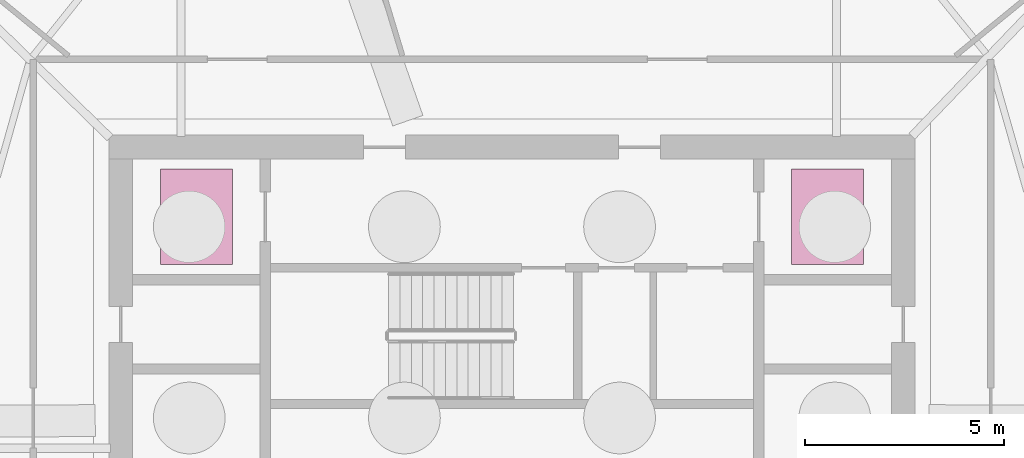
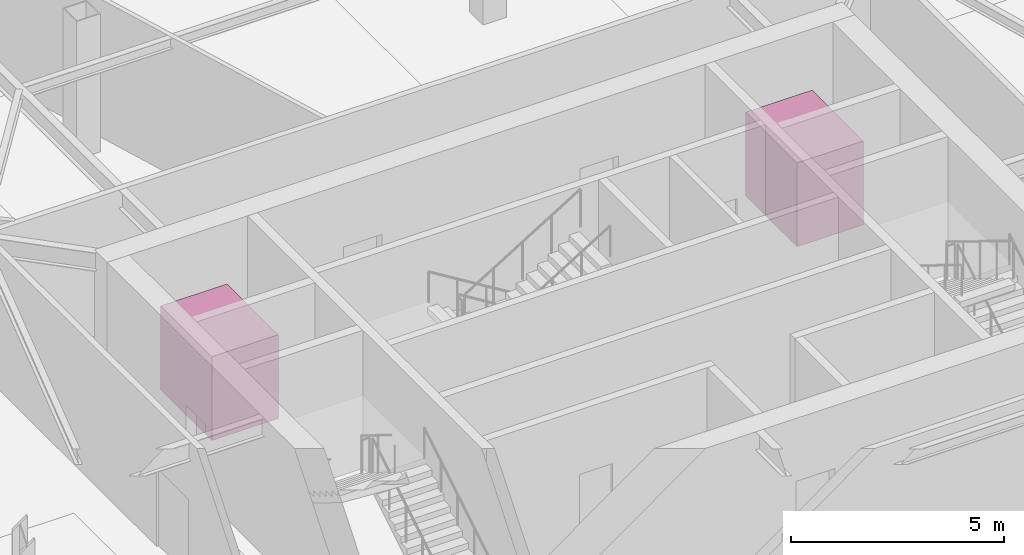
# One storey, part 11 of 11: 2 transport elements.
"""IFC4 building model written with IfcOpenShell, lengths in metres."""

import ifcopenshell
import ifcopenshell.guid

model = None  # the IFC model being written
_history = None  # IfcOwnerHistory: only IFC2X3 demands one
_inside = {}  # id of a spatial element -> (the spatial element, [elements in it])
_under = {}  # id of a project, library or spatial element -> (it, [spatial elements below it])
_declared = {}  # id of a project -> (the project, [libraries it declares])
_typed = {}  # id of a type object -> (the type object, [elements of that type])
_made_of = {}  # id of a material, layer set ... -> (it, [elements and type objects made of it])


def new_model(schema):
    """Start an empty IFC model of exactly this schema.

    Asked for "IFC4X3", IfcOpenShell would pick the latest addendum, in which some entities
    have other attributes; the version numbers below select the first issue.
    IFC2X3 requires an IfcOwnerHistory on every rooted entity: one is made here for all.
    """
    global model, _history
    if schema == "IFC4X3":
        model = ifcopenshell.file(schema_version=(4, 3, 0, 0))
    else:
        model = ifcopenshell.file(schema=schema)
    _inside.clear()
    _under.clear()
    _declared.clear()
    _typed.clear()
    _made_of.clear()
    _history = None
    if model.schema == "IFC2X3":
        org = make("IfcOrganization", Name="unknown")
        user = make(
            "IfcPersonAndOrganization",
            ThePerson=make("IfcPerson", FamilyName="unknown"),
            TheOrganization=org,
        )
        app = make(
            "IfcApplication",
            ApplicationDeveloper=org,
            Version="unknown",
            ApplicationFullName="unknown",
            ApplicationIdentifier="unknown",
        )
        _history = make(
            "IfcOwnerHistory",
            OwningUser=user,
            OwningApplication=app,
            ChangeAction="ADDED",
            CreationDate=0,
        )
    return model


def make(cls, **values):
    """One entity of the class cls with the attributes given. An attribute that is None is left unset."""
    return model.create_entity(
        cls, **{name: value for name, value in values.items() if value is not None}
    )


def rooted(cls, **values):
    """An entity with a GlobalId (a new one), such as an element, a storey or a relation."""
    return make(cls, GlobalId=ifcopenshell.guid.new(), OwnerHistory=_history, **values)


def si_unit(unit_type, name, prefix=None):
    """IfcSIUnit, for example si_unit("LENGTHUNIT", "METRE", prefix="MILLI")."""
    return make("IfcSIUnit", UnitType=unit_type, Prefix=prefix, Name=name)


def assignment(units):
    """IfcUnitAssignment: the units of a project."""
    return None if units is None else make("IfcUnitAssignment", Units=units)


def point(xyz):
    """IfcCartesianPoint."""
    return None if xyz is None else make("IfcCartesianPoint", Coordinates=xyz)


def direction(xyz):
    """IfcDirection."""
    return None if xyz is None else make("IfcDirection", DirectionRatios=xyz)


def frame(location, z_axis=None, x_axis=None):
    """IfcAxis2Placement3D, a coordinate frame: its origin and axes. An axis left out is left unset."""
    return make(
        "IfcAxis2Placement3D",
        Location=point(location),
        Axis=direction(z_axis),
        RefDirection=direction(x_axis),
    )


def frame_2d(location, x_axis=None):
    """IfcAxis2Placement2D, a coordinate frame in the plane: its origin and x axis."""
    return make(
        "IfcAxis2Placement2D", Location=point(location), RefDirection=direction(x_axis)
    )


def origin():
    """The frame at (0, 0, 0) with its axes left unset."""
    return frame((0.0, 0.0, 0.0))


def origin_2d():
    """The frame at (0, 0) in the plane with its x axis left unset."""
    return frame_2d((0.0, 0.0))


def place(relative_to, where):
    """IfcLocalPlacement: puts the frame where relative to a parent placement (None: the world)."""
    return make(
        "IfcLocalPlacement", PlacementRelTo=relative_to, RelativePlacement=where
    )


def context(
    kind, dimensions, precision=None, world=None, true_north=None, identifier=None
):
    """IfcGeometricRepresentationContext, for example the 3D "Model" context."""
    return make(
        "IfcGeometricRepresentationContext",
        ContextIdentifier=identifier,
        ContextType=kind,
        CoordinateSpaceDimension=dimensions,
        Precision=precision,
        WorldCoordinateSystem=world,
        TrueNorth=true_north,
    )


def subcontext(parent, identifier, kind, view, scale=None):
    """IfcGeometricRepresentationSubContext, for example "Body" below "Model"."""
    return make(
        "IfcGeometricRepresentationSubContext",
        ContextIdentifier=identifier,
        ContextType=kind,
        ParentContext=parent,
        TargetScale=scale,
        TargetView=view,
    )


def project(units=None, contexts=None):
    """IfcProject with its units and contexts."""
    return rooted(
        "IfcProject",
        Name="project",
        RepresentationContexts=contexts,
        UnitsInContext=assignment(units),
    )


def spatial(cls, under=None, at=None, **own):
    """A site, building, storey or space (cls), placed at a placement, below another one or the project."""
    s = rooted(cls, ObjectPlacement=at, **own)
    if under is not None:
        _under.setdefault(under.id(), (under, []))[1].append(s)
    return s


def profile(cls, at=None, kind="AREA", **sizes):
    """A parametric profile (cls). Its sizes go by their IFC names, for example OverallWidth=200.0."""
    return make(cls, ProfileType=kind, Position=at, **sizes)


def rectangle(**sizes):
    """IfcRectangleProfileDef."""
    return profile("IfcRectangleProfileDef", **sizes)


def extrude(swept, where, along, depth):
    """IfcExtrudedAreaSolid: the profile swept, set in the frame where, extruded along a direction by depth."""
    return make(
        "IfcExtrudedAreaSolid",
        SweptArea=swept,
        Position=where,
        ExtrudedDirection=direction(along),
        Depth=depth,
    )


def shape(context_of_items, identifier, shape_type, items):
    """IfcShapeRepresentation: the items that make up one representation, for example the "Body"."""
    return make(
        "IfcShapeRepresentation",
        ContextOfItems=context_of_items,
        RepresentationIdentifier=identifier,
        RepresentationType=shape_type,
        Items=items,
    )


def material(Name=None, Category=None):
    """IfcMaterial."""
    return make("IfcMaterial", Name=Name, Category=Category)


def made_of(thing, what):
    """Note that an element or type object is made of a material, layer set ...; save() writes the relation."""
    if what is not None:
        _made_of.setdefault(what.id(), (what, []))[1].append(thing)
    return thing


def type_object(cls, material=None, **own):
    """A type object (cls), such as IfcWallType, which elements share."""
    return made_of(rooted(cls, **own), material)


def element(
    cls,
    number,
    at=None,
    inside=None,
    cuts=None,
    type_object=None,
    material=None,
    context=None,
    identifier="Body",
    shape_type=None,
    held_by="IfcProductDefinitionShape",
    body=None,
    shapes=None,
    **own,
):
    """One element of the class cls, such as IfcWall. Its Tag is "e" and its number.

    at: its placement. inside: the storey or other place that contains it. cuts: it is an
    opening in that element (IfcRelVoidsElement). A single representation is given by context,
    identifier, shape_type and body (its items); several are given by shapes. held_by: the class
    of the entity that holds the representations. save() writes the other relations.
    """
    e = rooted(cls, Tag="e%d" % number, ObjectPlacement=at, **own)
    if body is not None:
        shapes = [shape(context, identifier, shape_type, body)]
    if shapes is not None:
        e.Representation = make(held_by, Representations=shapes)
    if inside is not None:
        _inside.setdefault(inside.id(), (inside, []))[1].append(e)
    if cuts is not None:
        rooted(
            "IfcRelVoidsElement", RelatingBuildingElement=cuts, RelatedOpeningElement=e
        )
    if type_object is not None:
        _typed.setdefault(type_object.id(), (type_object, []))[1].append(e)
    return made_of(e, material)


def aggregate(whole, parts):
    """IfcRelAggregates: a whole, such as a stair, and the parts it consists of."""
    return rooted("IfcRelAggregates", RelatingObject=whole, RelatedObjects=parts)


def save(model, path):
    """Write the relations noted so far, then the file.

    IfcRelAggregates (storeys below a building ...), IfcRelContainedInSpatialStructure (elements
    in a storey), IfcRelDefinesByType, IfcRelAssociatesMaterial and IfcRelDeclares: one each for
    every whole, place, type object, material and project.
    """
    for whole, parts in _under.values():
        aggregate(whole, parts)
    for where, things in _inside.values():
        rooted(
            "IfcRelContainedInSpatialStructure",
            RelatedElements=things,
            RelatingStructure=where,
        )
    for kind, things in _typed.values():
        rooted("IfcRelDefinesByType", RelatedObjects=things, RelatingType=kind)
    for what, things in _made_of.values():
        rooted("IfcRelAssociatesMaterial", RelatedObjects=things, RelatingMaterial=what)
    for by, libraries in _declared.values():
        rooted("IfcRelDeclares", RelatingContext=by, RelatedDefinitions=libraries)
    model.write(path)


model = new_model("IFC4")

# Units and contexts
model_context = context("Model", 3, precision=1e-05, world=origin(), true_north=direction((0.0, 1.0)))
body_context = subcontext(model_context, "Body", "Model", "MODEL_VIEW")
ifc_project = project(units=[si_unit("LENGTHUNIT", "METRE"), si_unit("AREAUNIT", "SQUARE_METRE"), si_unit("VOLUMEUNIT", "CUBIC_METRE"), si_unit("PLANEANGLEUNIT", "RADIAN"), si_unit("MASSUNIT", "GRAM", prefix="KILO")], contexts=[model_context])

# Site, building, storey
site_placement = place(None, origin())
site = spatial("IfcSite", under=ifc_project, at=site_placement, CompositionType="ELEMENT")
building_placement = place(site_placement, origin())
building = spatial("IfcBuilding", under=site, at=building_placement, Name="Kavelnor Concourse Tower", CompositionType="ELEMENT")
storey_placement = place(building_placement, frame((0.0, 0.0, -8.39990234375)))
storey = spatial("IfcBuildingStorey", under=building, at=storey_placement, Name="B02", CompositionType="ELEMENT", Elevation=-8.39990234375)

# Transport elements
ifc_material = material(Name="Steel Grade 350", Category="steel")
transport_element_type = type_object("IfcTransportElementType", Name="LFT-FIRE-1800x2400", PredefinedType="ELEVATOR", material=ifc_material)
for number, where, z_axis, x_axis, name in (
    (1, (30.080078125, 21.14990234375, 0.0), (0.0, 0.0, 1.0), (1.0, 0.0, 0.0), "Lift FL1 (FIRE)"),
    (2, (45.919921875, 21.14990234375, 0.0), (0.0, 0.0, 1.0), (1.0, 0.0, 0.0), "Lift FL2 (FIRE)"),
):
    element("IfcTransportElement", number, at=place(storey_placement, frame(where, z_axis=z_axis, x_axis=x_axis)), inside=storey, type_object=transport_element_type, Name=name, PredefinedType="ELEVATOR", context=body_context, shape_type="SweptSolid", body=[
        extrude(rectangle(XDim=1.800048828125, YDim=2.39990234375, at=origin_2d()), origin(), (0.0, 0.0, 1.0), 2.39990234375),
    ])

save(model, "model.ifc")
